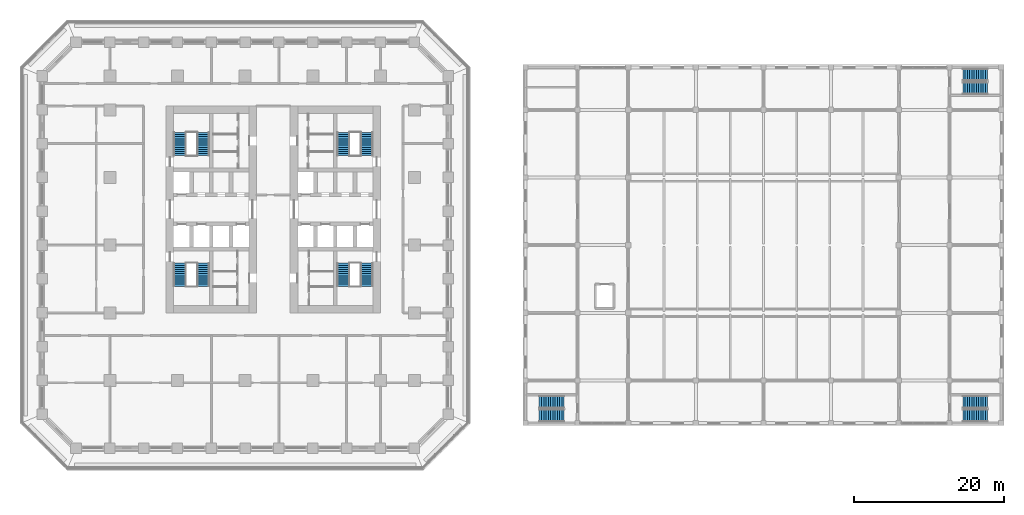
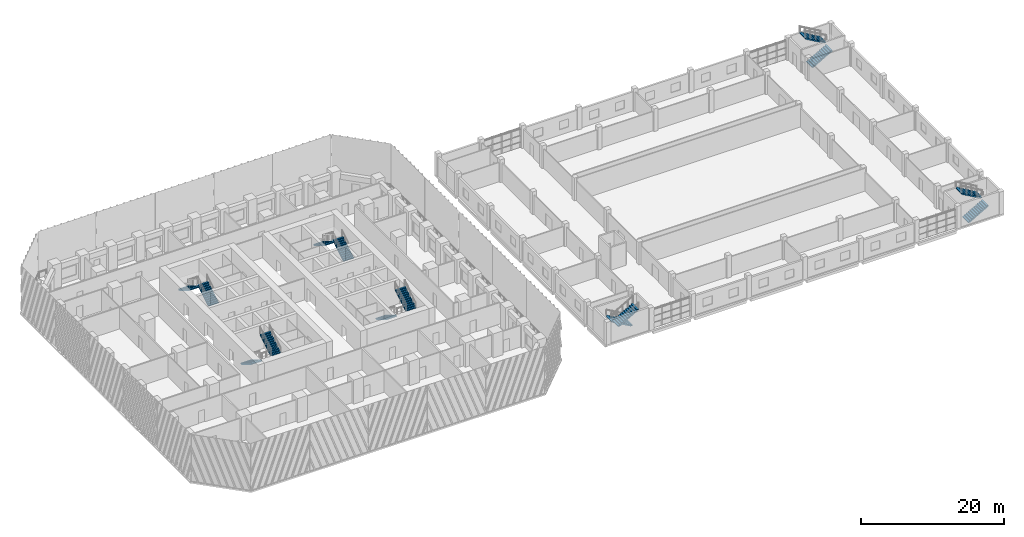
# One storey, part 20 of 31: 14 stair flights, 7 elements without a shape of their own.
"""IFC4 building model written with IfcOpenShell, lengths in metres."""

from ifc_helpers import new_model, si_unit, direction, frame, origin, place, context, subcontext, project, spatial, polyline, outline, extrude, material, type_object, element, aggregate, save


model = new_model("IFC4")

# Units and contexts
model_context = context("Model", 3, precision=1e-05, world=origin(), true_north=direction((0.0, 1.0)))
body_context = subcontext(model_context, "Body", "Model", "MODEL_VIEW")
ifc_project = project(units=[si_unit("LENGTHUNIT", "METRE"), si_unit("AREAUNIT", "SQUARE_METRE"), si_unit("VOLUMEUNIT", "CUBIC_METRE"), si_unit("PLANEANGLEUNIT", "RADIAN"), si_unit("MASSUNIT", "GRAM", prefix="KILO")], contexts=[model_context])

# Site, building, storey
site_placement = place(None, origin())
site = spatial("IfcSite", under=ifc_project, at=site_placement, CompositionType="ELEMENT")
building_placement = place(site_placement, origin())
building = spatial("IfcBuilding", under=site, at=building_placement, Name="Corbel Stack Research Tower", CompositionType="ELEMENT")
storey_placement = place(building_placement, frame((0.0, 0.0, 15.39990234375)))
storey = spatial("IfcBuildingStorey", under=building, at=storey_placement, Name="L03", CompositionType="ELEMENT", Elevation=15.39990234375)

# Stair, stair flights
ifc_material_1 = material(Name="Concrete C40/50", Category="concrete")
stair_type_1 = type_object("IfcStairType", Name="HST1 exit stair", PredefinedType="HALF_TURN_STAIR", material=ifc_material_1)
stair_1_placement = place(storey_placement, origin())
stair_1 = element("IfcStair", 1, at=stair_1_placement, inside=storey, type_object=stair_type_1, Name="L03 exit stair 1", PredefinedType="HALF_TURN_STAIR")
ifc_material_2 = material(Name="Concrete C40/50", Category="concrete")
stair_flight_type_1 = type_object("IfcStairFlightType", Name="HST2 stair flight", PredefinedType="STRAIGHT", material=ifc_material_2)
stair_flight_1_placement = place(storey_placement, frame((42.425048828125, -20.875, 0.0), z_axis=(0.0, 0.0, 1.0), x_axis=(-1.0, 0.0, 0.0)))
stair_flight_1 = element("IfcStairFlight", 2, at=stair_flight_1_placement, type_object=stair_flight_type_1, Name="HS1 flight 1", NumberOfRisers=12, NumberOfTreads=11, PredefinedType="STRAIGHT", RiserHeight=0.170833333, TreadLength=0.3, context=body_context, shape_type="SweptSolid", body=[
    extrude(outline(polyline([(0.0, 0.0), (0.0, 0.1708984375), (0.300048828125, 0.1708984375), (0.300048828125, 0.341552734375), (0.60009765625, 0.341552734375), (0.60009765625, 0.512451171875), (0.89990234375, 0.512451171875), (0.89990234375, 0.683349609375), (1.199951171875, 0.683349609375), (1.199951171875, 0.854248046875), (1.5, 0.854248046875), (1.5, 1.02490234375), (1.800048828125, 1.02490234375), (1.800048828125, 1.19580078125), (2.10009765625, 1.19580078125), (2.10009765625, 1.36669921875), (2.39990234375, 1.36669921875), (2.39990234375, 1.53759765625), (2.699951171875, 1.53759765625), (2.699951171875, 1.708251953125), (3.0, 1.708251953125), (3.0, 1.879150390625), (3.300048828125, 1.879150390625), (3.300048828125, 2.050048828125), (3.300048828125, 1.70654296875), (0.302978515625, 0.0), (0.0, 0.0)])), frame((0.0, 0.824951171875, 0.0), z_axis=(0.0, -1.0, 0.0), x_axis=(1.0, 0.0, 0.0)), (0.0, 0.0, 1.0), 1.64990234375),
])
stair_flight_2_placement = place(storey_placement, frame((39.125, -22.675048828125, 2.050048828125), z_axis=(0.0, 0.0, 1.0), x_axis=(1.0, 0.0, 0.0)))
stair_flight_2 = element("IfcStairFlight", 3, at=stair_flight_2_placement, type_object=stair_flight_type_1, Name="HS1 flight 2", NumberOfRisers=12, NumberOfTreads=11, PredefinedType="STRAIGHT", RiserHeight=0.170833333, TreadLength=0.3, context=body_context, shape_type="SweptSolid", body=[
    extrude(outline(polyline([(0.0, 0.0), (0.0, 0.1708984375), (0.300048828125, 0.1708984375), (0.300048828125, 0.341552734375), (0.60009765625, 0.341552734375), (0.60009765625, 0.512451171875), (0.89990234375, 0.512451171875), (0.89990234375, 0.683349609375), (1.199951171875, 0.683349609375), (1.199951171875, 0.854248046875), (1.5, 0.854248046875), (1.5, 1.02490234375), (1.800048828125, 1.02490234375), (1.800048828125, 1.19580078125), (2.10009765625, 1.19580078125), (2.10009765625, 1.36669921875), (2.39990234375, 1.36669921875), (2.39990234375, 1.53759765625), (2.699951171875, 1.53759765625), (2.699951171875, 1.708251953125), (3.0, 1.708251953125), (3.0, 1.879150390625), (3.300048828125, 1.879150390625), (3.300048828125, 2.050048828125), (3.300048828125, 1.70654296875), (0.302978515625, 0.0), (0.0, 0.0)])), frame((0.0, 0.824951171875, 0.0), z_axis=(0.0, -1.0, 0.0), x_axis=(1.0, 0.0, 0.0)), (0.0, 0.0, 1.0), 1.64990234375),
])
aggregate(stair_1, [stair_flight_1, stair_flight_2])

stair_2_placement = place(storey_placement, origin())
stair_2 = element("IfcStair", 4, at=stair_2_placement, inside=storey, type_object=stair_type_1, Name="L03 exit stair 2", PredefinedType="HALF_TURN_STAIR")
stair_flight_3_placement = place(storey_placement, frame((95.47509765625, 20.875, 0.0), z_axis=(0.0, 0.0, 1.0), x_axis=(1.0, 0.0, 0.0)))
stair_flight_3 = element("IfcStairFlight", 5, at=stair_flight_3_placement, type_object=stair_flight_type_1, Name="HS2 flight 1", NumberOfRisers=12, NumberOfTreads=11, PredefinedType="STRAIGHT", RiserHeight=0.170833333, TreadLength=0.3, context=body_context, shape_type="SweptSolid", body=[
    extrude(outline(polyline([(0.0, 0.0), (0.0, 0.1708984375), (0.300048828125, 0.1708984375), (0.300048828125, 0.341552734375), (0.60009765625, 0.341552734375), (0.60009765625, 0.512451171875), (0.89990234375, 0.512451171875), (0.89990234375, 0.683349609375), (1.199951171875, 0.683349609375), (1.199951171875, 0.854248046875), (1.5, 0.854248046875), (1.5, 1.02490234375), (1.800048828125, 1.02490234375), (1.800048828125, 1.19580078125), (2.10009765625, 1.19580078125), (2.10009765625, 1.36669921875), (2.39990234375, 1.36669921875), (2.39990234375, 1.53759765625), (2.699951171875, 1.53759765625), (2.699951171875, 1.708251953125), (3.0, 1.708251953125), (3.0, 1.879150390625), (3.300048828125, 1.879150390625), (3.300048828125, 2.050048828125), (3.300048828125, 1.70654296875), (0.302978515625, 0.0), (0.0, 0.0)])), frame((0.0, 0.824951171875, 0.0), z_axis=(0.0, -1.0, 0.0), x_axis=(1.0, 0.0, 0.0)), (0.0, 0.0, 1.0), 1.64990234375),
])
stair_flight_4_placement = place(storey_placement, frame((98.77490234375, 22.675048828125, 2.050048828125), z_axis=(0.0, 0.0, 1.0), x_axis=(-1.0, 0.0, 0.0)))
stair_flight_4 = element("IfcStairFlight", 6, at=stair_flight_4_placement, type_object=stair_flight_type_1, Name="HS2 flight 2", NumberOfRisers=12, NumberOfTreads=11, PredefinedType="STRAIGHT", RiserHeight=0.170833333, TreadLength=0.3, context=body_context, shape_type="SweptSolid", body=[
    extrude(outline(polyline([(0.0, 0.0), (0.0, 0.1708984375), (0.300048828125, 0.1708984375), (0.300048828125, 0.341552734375), (0.60009765625, 0.341552734375), (0.60009765625, 0.512451171875), (0.89990234375, 0.512451171875), (0.89990234375, 0.683349609375), (1.199951171875, 0.683349609375), (1.199951171875, 0.854248046875), (1.5, 0.854248046875), (1.5, 1.02490234375), (1.800048828125, 1.02490234375), (1.800048828125, 1.19580078125), (2.10009765625, 1.19580078125), (2.10009765625, 1.36669921875), (2.39990234375, 1.36669921875), (2.39990234375, 1.53759765625), (2.699951171875, 1.53759765625), (2.699951171875, 1.708251953125), (3.0, 1.708251953125), (3.0, 1.879150390625), (3.300048828125, 1.879150390625), (3.300048828125, 2.050048828125), (3.300048828125, 1.70654296875), (0.302978515625, 0.0), (0.0, 0.0)])), frame((0.0, 0.824951171875, 0.0), z_axis=(0.0, -1.0, 0.0), x_axis=(1.0, 0.0, 0.0)), (0.0, 0.0, 1.0), 1.64990234375),
])
aggregate(stair_2, [stair_flight_3, stair_flight_4])

stair_3_placement = place(storey_placement, origin())
stair_3 = element("IfcStair", 7, at=stair_3_placement, inside=storey, type_object=stair_type_1, Name="L03 exit stair 3", PredefinedType="HALF_TURN_STAIR")
stair_flight_5_placement = place(storey_placement, frame((95.47509765625, -22.675048828125, 0.0), z_axis=(0.0, 0.0, 1.0), x_axis=(1.0, 0.0, 0.0)))
stair_flight_5 = element("IfcStairFlight", 8, at=stair_flight_5_placement, type_object=stair_flight_type_1, Name="HS3 flight 1", NumberOfRisers=12, NumberOfTreads=11, PredefinedType="STRAIGHT", RiserHeight=0.170833333, TreadLength=0.3, context=body_context, shape_type="SweptSolid", body=[
    extrude(outline(polyline([(0.0, 0.0), (0.0, 0.1708984375), (0.300048828125, 0.1708984375), (0.300048828125, 0.341552734375), (0.60009765625, 0.341552734375), (0.60009765625, 0.512451171875), (0.89990234375, 0.512451171875), (0.89990234375, 0.683349609375), (1.199951171875, 0.683349609375), (1.199951171875, 0.854248046875), (1.5, 0.854248046875), (1.5, 1.02490234375), (1.800048828125, 1.02490234375), (1.800048828125, 1.19580078125), (2.10009765625, 1.19580078125), (2.10009765625, 1.36669921875), (2.39990234375, 1.36669921875), (2.39990234375, 1.53759765625), (2.699951171875, 1.53759765625), (2.699951171875, 1.708251953125), (3.0, 1.708251953125), (3.0, 1.879150390625), (3.300048828125, 1.879150390625), (3.300048828125, 2.050048828125), (3.300048828125, 1.70654296875), (0.302978515625, 0.0), (0.0, 0.0)])), frame((0.0, 0.824951171875, 0.0), z_axis=(0.0, -1.0, 0.0), x_axis=(1.0, 0.0, 0.0)), (0.0, 0.0, 1.0), 1.64990234375),
])
stair_flight_6_placement = place(storey_placement, frame((98.77490234375, -20.875, 2.050048828125), z_axis=(0.0, 0.0, 1.0), x_axis=(-1.0, 0.0, 0.0)))
stair_flight_6 = element("IfcStairFlight", 9, at=stair_flight_6_placement, type_object=stair_flight_type_1, Name="HS3 flight 2", NumberOfRisers=12, NumberOfTreads=11, PredefinedType="STRAIGHT", RiserHeight=0.170833333, TreadLength=0.3, context=body_context, shape_type="SweptSolid", body=[
    extrude(outline(polyline([(0.0, 0.0), (0.0, 0.1708984375), (0.300048828125, 0.1708984375), (0.300048828125, 0.341552734375), (0.60009765625, 0.341552734375), (0.60009765625, 0.512451171875), (0.89990234375, 0.512451171875), (0.89990234375, 0.683349609375), (1.199951171875, 0.683349609375), (1.199951171875, 0.854248046875), (1.5, 0.854248046875), (1.5, 1.02490234375), (1.800048828125, 1.02490234375), (1.800048828125, 1.19580078125), (2.10009765625, 1.19580078125), (2.10009765625, 1.36669921875), (2.39990234375, 1.36669921875), (2.39990234375, 1.53759765625), (2.699951171875, 1.53759765625), (2.699951171875, 1.708251953125), (3.0, 1.708251953125), (3.0, 1.879150390625), (3.300048828125, 1.879150390625), (3.300048828125, 2.050048828125), (3.300048828125, 1.70654296875), (0.302978515625, 0.0), (0.0, 0.0)])), frame((0.0, 0.824951171875, 0.0), z_axis=(0.0, -1.0, 0.0), x_axis=(1.0, 0.0, 0.0)), (0.0, 0.0, 1.0), 1.64990234375),
])
aggregate(stair_3, [stair_flight_5, stair_flight_6])

ifc_material_3 = material(Name="Concrete C40/50", Category="concrete")
stair_type_2 = type_object("IfcStairType", Name="Exit stair 24 risers", PredefinedType="HALF_TURN_STAIR", material=ifc_material_3)
stair_4_placement = place(storey_placement, origin())
stair_4 = element("IfcStair", 10, at=stair_4_placement, inside=storey, type_object=stair_type_2, Name="L03 Exit stair ST-W1", PredefinedType="HALF_TURN_STAIR")
ifc_material_4 = material(Name="Concrete C40/50", Category="concrete")
stair_flight_type_2 = type_object("IfcStairFlightType", Name="Stair flight 12 risers", PredefinedType="STRAIGHT", material=ifc_material_4)
stair_flight_7_placement = place(storey_placement, frame((-8.675048828125, -2.39990234375, 0.0), z_axis=(0.0, 0.0, 1.0), x_axis=(0.0, -1.0, 0.0)))
stair_flight_7 = element("IfcStairFlight", 11, at=stair_flight_7_placement, type_object=stair_flight_type_2, Name="ST-W1 flight 1", NumberOfRisers=12, NumberOfTreads=11, PredefinedType="STRAIGHT", RiserHeight=0.170833333, TreadLength=0.28, context=body_context, shape_type="SweptSolid", body=[
    extrude(outline(polyline([(0.0, 0.0), (0.0, 0.1708984375), (0.280029296875, 0.1708984375), (0.280029296875, 0.341552734375), (0.56005859375, 0.341552734375), (0.56005859375, 0.512451171875), (0.840087890625, 0.512451171875), (0.840087890625, 0.683349609375), (1.1201171875, 0.683349609375), (1.1201171875, 0.854248046875), (1.39990234375, 0.854248046875), (1.39990234375, 1.02490234375), (1.679931640625, 1.02490234375), (1.679931640625, 1.19580078125), (1.9599609375, 1.19580078125), (1.9599609375, 1.36669921875), (2.239990234375, 1.36669921875), (2.239990234375, 1.53759765625), (2.52001953125, 1.53759765625), (2.52001953125, 1.708251953125), (2.800048828125, 1.708251953125), (2.800048828125, 1.879150390625), (3.080078125, 1.879150390625), (3.080078125, 2.050048828125), (3.080078125, 1.70361328125), (0.287841796875, 0.0), (0.0, 0.0)])), frame((0.0, 0.824951171875, 0.0), z_axis=(0.0, -1.0, 0.0), x_axis=(1.0, 0.0, 0.0)), (0.0, 0.0, 1.0), 1.64990234375),
])
stair_flight_8_placement = place(storey_placement, frame((-5.574951171875, -5.47998046875, 2.050048828125), z_axis=(0.0, 0.0, 1.0), x_axis=(0.0, 1.0, 0.0)))
stair_flight_8 = element("IfcStairFlight", 12, at=stair_flight_8_placement, type_object=stair_flight_type_2, Name="ST-W1 flight 2", NumberOfRisers=12, NumberOfTreads=11, PredefinedType="STRAIGHT", RiserHeight=0.170833333, TreadLength=0.28, context=body_context, shape_type="SweptSolid", body=[
    extrude(outline(polyline([(0.0, 0.0), (0.0, 0.1708984375), (0.280029296875, 0.1708984375), (0.280029296875, 0.341552734375), (0.56005859375, 0.341552734375), (0.56005859375, 0.512451171875), (0.840087890625, 0.512451171875), (0.840087890625, 0.683349609375), (1.1201171875, 0.683349609375), (1.1201171875, 0.854248046875), (1.39990234375, 0.854248046875), (1.39990234375, 1.02490234375), (1.679931640625, 1.02490234375), (1.679931640625, 1.19580078125), (1.9599609375, 1.19580078125), (1.9599609375, 1.36669921875), (2.239990234375, 1.36669921875), (2.239990234375, 1.53759765625), (2.52001953125, 1.53759765625), (2.52001953125, 1.708251953125), (2.800048828125, 1.708251953125), (2.800048828125, 1.879150390625), (3.080078125, 1.879150390625), (3.080078125, 2.050048828125), (3.080078125, 1.70361328125), (0.287841796875, 0.0), (0.0, 0.0)])), frame((0.0, 0.824951171875, 0.0), z_axis=(0.0, -1.0, 0.0), x_axis=(1.0, 0.0, 0.0)), (0.0, 0.0, 1.0), 1.64990234375),
])
aggregate(stair_4, [stair_flight_7, stair_flight_8])

stair_5_placement = place(storey_placement, origin())
stair_5 = element("IfcStair", 13, at=stair_5_placement, inside=storey, type_object=stair_type_2, Name="L03 Exit stair ST-W2", PredefinedType="HALF_TURN_STAIR")
stair_flight_9_placement = place(storey_placement, frame((-5.574951171875, 11.89990234375, 0.0), z_axis=(0.0, 0.0, 1.0), x_axis=(0.0, 1.0, 0.0)))
stair_flight_9 = element("IfcStairFlight", 14, at=stair_flight_9_placement, type_object=stair_flight_type_2, Name="ST-W2 flight 1", NumberOfRisers=12, NumberOfTreads=11, PredefinedType="STRAIGHT", RiserHeight=0.170833333, TreadLength=0.28, context=body_context, shape_type="SweptSolid", body=[
    extrude(outline(polyline([(0.0, 0.0), (0.0, 0.1708984375), (0.280029296875, 0.1708984375), (0.280029296875, 0.341552734375), (0.56005859375, 0.341552734375), (0.56005859375, 0.512451171875), (0.840087890625, 0.512451171875), (0.840087890625, 0.683349609375), (1.1201171875, 0.683349609375), (1.1201171875, 0.854248046875), (1.39990234375, 0.854248046875), (1.39990234375, 1.02490234375), (1.679931640625, 1.02490234375), (1.679931640625, 1.19580078125), (1.9599609375, 1.19580078125), (1.9599609375, 1.36669921875), (2.239990234375, 1.36669921875), (2.239990234375, 1.53759765625), (2.52001953125, 1.53759765625), (2.52001953125, 1.708251953125), (2.800048828125, 1.708251953125), (2.800048828125, 1.879150390625), (3.080078125, 1.879150390625), (3.080078125, 2.050048828125), (3.080078125, 1.70361328125), (0.287841796875, 0.0), (0.0, 0.0)])), frame((0.0, 0.824951171875, 0.0), z_axis=(0.0, -1.0, 0.0), x_axis=(1.0, 0.0, 0.0)), (0.0, 0.0, 1.0), 1.64990234375),
])
stair_flight_10_placement = place(storey_placement, frame((-8.675048828125, 14.97998046875, 2.050048828125), z_axis=(0.0, 0.0, 1.0), x_axis=(0.0, -1.0, 0.0)))
stair_flight_10 = element("IfcStairFlight", 15, at=stair_flight_10_placement, type_object=stair_flight_type_2, Name="ST-W2 flight 2", NumberOfRisers=12, NumberOfTreads=11, PredefinedType="STRAIGHT", RiserHeight=0.170833333, TreadLength=0.28, context=body_context, shape_type="SweptSolid", body=[
    extrude(outline(polyline([(0.0, 0.0), (0.0, 0.1708984375), (0.280029296875, 0.1708984375), (0.280029296875, 0.341552734375), (0.56005859375, 0.341552734375), (0.56005859375, 0.512451171875), (0.840087890625, 0.512451171875), (0.840087890625, 0.683349609375), (1.1201171875, 0.683349609375), (1.1201171875, 0.854248046875), (1.39990234375, 0.854248046875), (1.39990234375, 1.02490234375), (1.679931640625, 1.02490234375), (1.679931640625, 1.19580078125), (1.9599609375, 1.19580078125), (1.9599609375, 1.36669921875), (2.239990234375, 1.36669921875), (2.239990234375, 1.53759765625), (2.52001953125, 1.53759765625), (2.52001953125, 1.708251953125), (2.800048828125, 1.708251953125), (2.800048828125, 1.879150390625), (3.080078125, 1.879150390625), (3.080078125, 2.050048828125), (3.080078125, 1.70361328125), (0.287841796875, 0.0), (0.0, 0.0)])), frame((0.0, 0.824951171875, 0.0), z_axis=(0.0, -1.0, 0.0), x_axis=(1.0, 0.0, 0.0)), (0.0, 0.0, 1.0), 1.64990234375),
])
aggregate(stair_5, [stair_flight_9, stair_flight_10])

stair_6_placement = place(storey_placement, origin())
stair_6 = element("IfcStair", 16, at=stair_6_placement, inside=storey, type_object=stair_type_2, Name="L03 Exit stair ST-E1", PredefinedType="HALF_TURN_STAIR")
stair_flight_11_placement = place(storey_placement, frame((13.074951171875, -2.39990234375, 0.0), z_axis=(0.0, 0.0, 1.0), x_axis=(0.0, -1.0, 0.0)))
stair_flight_11 = element("IfcStairFlight", 17, at=stair_flight_11_placement, type_object=stair_flight_type_2, Name="ST-E1 flight 1", NumberOfRisers=12, NumberOfTreads=11, PredefinedType="STRAIGHT", RiserHeight=0.170833333, TreadLength=0.28, context=body_context, shape_type="SweptSolid", body=[
    extrude(outline(polyline([(0.0, 0.0), (0.0, 0.1708984375), (0.280029296875, 0.1708984375), (0.280029296875, 0.341552734375), (0.56005859375, 0.341552734375), (0.56005859375, 0.512451171875), (0.840087890625, 0.512451171875), (0.840087890625, 0.683349609375), (1.1201171875, 0.683349609375), (1.1201171875, 0.854248046875), (1.39990234375, 0.854248046875), (1.39990234375, 1.02490234375), (1.679931640625, 1.02490234375), (1.679931640625, 1.19580078125), (1.9599609375, 1.19580078125), (1.9599609375, 1.36669921875), (2.239990234375, 1.36669921875), (2.239990234375, 1.53759765625), (2.52001953125, 1.53759765625), (2.52001953125, 1.708251953125), (2.800048828125, 1.708251953125), (2.800048828125, 1.879150390625), (3.080078125, 1.879150390625), (3.080078125, 2.050048828125), (3.080078125, 1.70361328125), (0.287841796875, 0.0), (0.0, 0.0)])), frame((0.0, 0.824951171875, 0.0), z_axis=(0.0, -1.0, 0.0), x_axis=(1.0, 0.0, 0.0)), (0.0, 0.0, 1.0), 1.64990234375),
])
stair_flight_12_placement = place(storey_placement, frame((16.175048828125, -5.47998046875, 2.050048828125), z_axis=(0.0, 0.0, 1.0), x_axis=(0.0, 1.0, 0.0)))
stair_flight_12 = element("IfcStairFlight", 18, at=stair_flight_12_placement, type_object=stair_flight_type_2, Name="ST-E1 flight 2", NumberOfRisers=12, NumberOfTreads=11, PredefinedType="STRAIGHT", RiserHeight=0.170833333, TreadLength=0.28, context=body_context, shape_type="SweptSolid", body=[
    extrude(outline(polyline([(0.0, 0.0), (0.0, 0.1708984375), (0.280029296875, 0.1708984375), (0.280029296875, 0.341552734375), (0.56005859375, 0.341552734375), (0.56005859375, 0.512451171875), (0.840087890625, 0.512451171875), (0.840087890625, 0.683349609375), (1.1201171875, 0.683349609375), (1.1201171875, 0.854248046875), (1.39990234375, 0.854248046875), (1.39990234375, 1.02490234375), (1.679931640625, 1.02490234375), (1.679931640625, 1.19580078125), (1.9599609375, 1.19580078125), (1.9599609375, 1.36669921875), (2.239990234375, 1.36669921875), (2.239990234375, 1.53759765625), (2.52001953125, 1.53759765625), (2.52001953125, 1.708251953125), (2.800048828125, 1.708251953125), (2.800048828125, 1.879150390625), (3.080078125, 1.879150390625), (3.080078125, 2.050048828125), (3.080078125, 1.70361328125), (0.287841796875, 0.0), (0.0, 0.0)])), frame((0.0, 0.824951171875, 0.0), z_axis=(0.0, -1.0, 0.0), x_axis=(1.0, 0.0, 0.0)), (0.0, 0.0, 1.0), 1.64990234375),
])
aggregate(stair_6, [stair_flight_11, stair_flight_12])

stair_7_placement = place(storey_placement, origin())
stair_7 = element("IfcStair", 19, at=stair_7_placement, inside=storey, type_object=stair_type_2, Name="L03 Exit stair ST-E2", PredefinedType="HALF_TURN_STAIR")
stair_flight_13_placement = place(storey_placement, frame((16.175048828125, 11.89990234375, 0.0), z_axis=(0.0, 0.0, 1.0), x_axis=(0.0, 1.0, 0.0)))
stair_flight_13 = element("IfcStairFlight", 20, at=stair_flight_13_placement, type_object=stair_flight_type_2, Name="ST-E2 flight 1", NumberOfRisers=12, NumberOfTreads=11, PredefinedType="STRAIGHT", RiserHeight=0.170833333, TreadLength=0.28, context=body_context, shape_type="SweptSolid", body=[
    extrude(outline(polyline([(0.0, 0.0), (0.0, 0.1708984375), (0.280029296875, 0.1708984375), (0.280029296875, 0.341552734375), (0.56005859375, 0.341552734375), (0.56005859375, 0.512451171875), (0.840087890625, 0.512451171875), (0.840087890625, 0.683349609375), (1.1201171875, 0.683349609375), (1.1201171875, 0.854248046875), (1.39990234375, 0.854248046875), (1.39990234375, 1.02490234375), (1.679931640625, 1.02490234375), (1.679931640625, 1.19580078125), (1.9599609375, 1.19580078125), (1.9599609375, 1.36669921875), (2.239990234375, 1.36669921875), (2.239990234375, 1.53759765625), (2.52001953125, 1.53759765625), (2.52001953125, 1.708251953125), (2.800048828125, 1.708251953125), (2.800048828125, 1.879150390625), (3.080078125, 1.879150390625), (3.080078125, 2.050048828125), (3.080078125, 1.70361328125), (0.287841796875, 0.0), (0.0, 0.0)])), frame((0.0, 0.824951171875, 0.0), z_axis=(0.0, -1.0, 0.0), x_axis=(1.0, 0.0, 0.0)), (0.0, 0.0, 1.0), 1.64990234375),
])
stair_flight_14_placement = place(storey_placement, frame((13.074951171875, 14.97998046875, 2.050048828125), z_axis=(0.0, 0.0, 1.0), x_axis=(0.0, -1.0, 0.0)))
stair_flight_14 = element("IfcStairFlight", 21, at=stair_flight_14_placement, type_object=stair_flight_type_2, Name="ST-E2 flight 2", NumberOfRisers=12, NumberOfTreads=11, PredefinedType="STRAIGHT", RiserHeight=0.170833333, TreadLength=0.28, context=body_context, shape_type="SweptSolid", body=[
    extrude(outline(polyline([(0.0, 0.0), (0.0, 0.1708984375), (0.280029296875, 0.1708984375), (0.280029296875, 0.341552734375), (0.56005859375, 0.341552734375), (0.56005859375, 0.512451171875), (0.840087890625, 0.512451171875), (0.840087890625, 0.683349609375), (1.1201171875, 0.683349609375), (1.1201171875, 0.854248046875), (1.39990234375, 0.854248046875), (1.39990234375, 1.02490234375), (1.679931640625, 1.02490234375), (1.679931640625, 1.19580078125), (1.9599609375, 1.19580078125), (1.9599609375, 1.36669921875), (2.239990234375, 1.36669921875), (2.239990234375, 1.53759765625), (2.52001953125, 1.53759765625), (2.52001953125, 1.708251953125), (2.800048828125, 1.708251953125), (2.800048828125, 1.879150390625), (3.080078125, 1.879150390625), (3.080078125, 2.050048828125), (3.080078125, 1.70361328125), (0.287841796875, 0.0), (0.0, 0.0)])), frame((0.0, 0.824951171875, 0.0), z_axis=(0.0, -1.0, 0.0), x_axis=(1.0, 0.0, 0.0)), (0.0, 0.0, 1.0), 1.64990234375),
])
aggregate(stair_7, [stair_flight_13, stair_flight_14])

save(model, "model.ifc")
